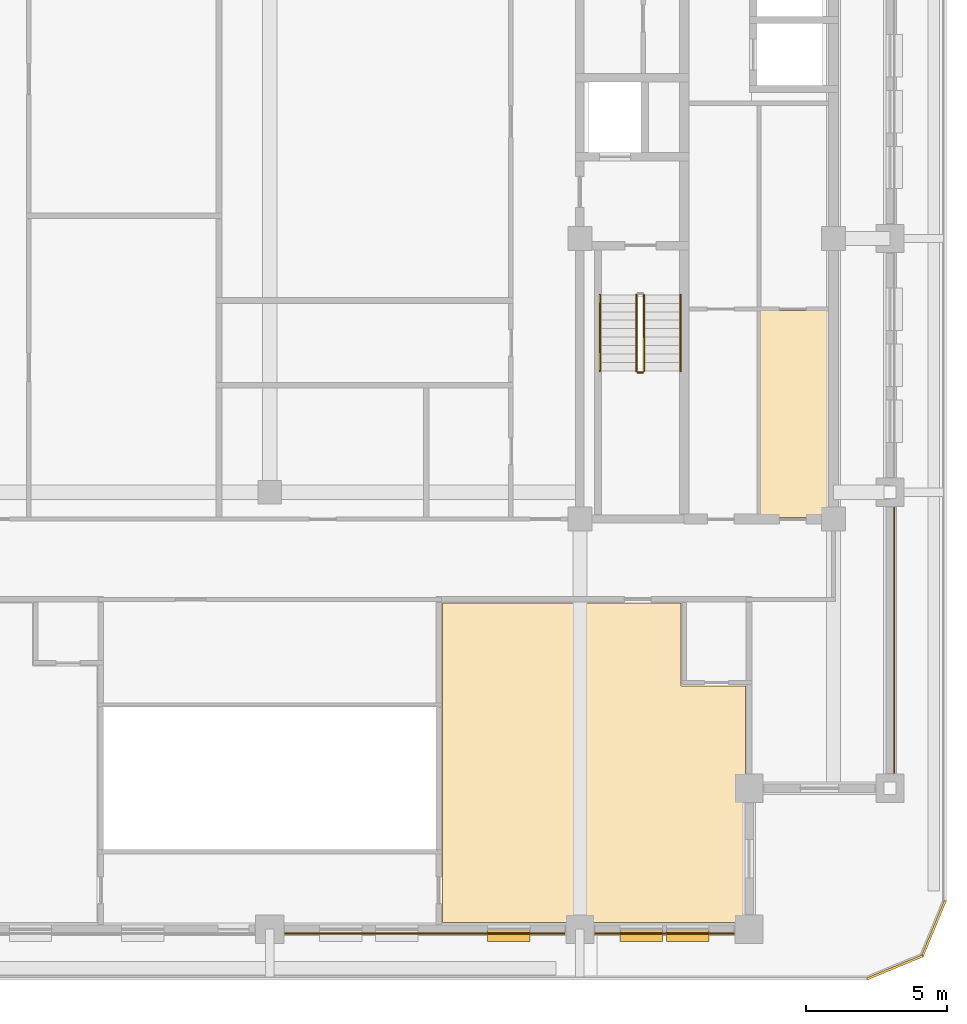
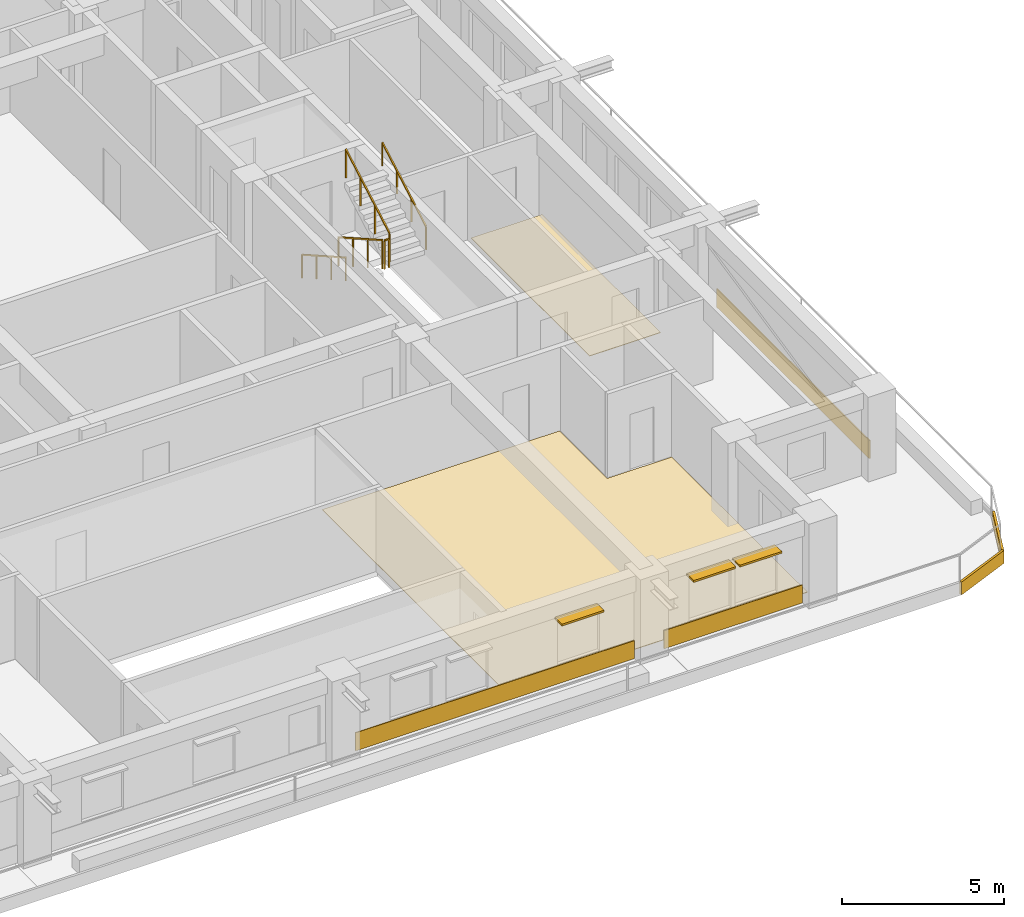
# One storey, part 12 of 14: 7 coverings, 5 railings, 3 shading devices.
"""IFC4 building model written with IfcOpenShell, lengths in metres."""

from ifc_helpers import new_model, si_unit, direction, frame, frame_2d, origin, origin_2d, place, context, subcontext, project, spatial, polyline, rectangle, outline, extrude, material, layer, layer_set, type_object, element, save


model = new_model("IFC4")

# Units and contexts
model_context = context("Model", 3, precision=1e-05, world=origin(), true_north=direction((0.0, 1.0)))
body_context = subcontext(model_context, "Body", "Model", "MODEL_VIEW")
ifc_project = project(units=[si_unit("LENGTHUNIT", "METRE"), si_unit("AREAUNIT", "SQUARE_METRE"), si_unit("VOLUMEUNIT", "CUBIC_METRE"), si_unit("PLANEANGLEUNIT", "RADIAN"), si_unit("MASSUNIT", "GRAM", prefix="KILO")], contexts=[model_context])

# Site, building, storey
site_placement = place(None, origin())
site = spatial("IfcSite", under=ifc_project, at=site_placement, CompositionType="ELEMENT")
building_placement = place(site_placement, origin())
building = spatial("IfcBuilding", under=site, at=building_placement, Name="Zulmaris Gate Convention Tower", CompositionType="ELEMENT")
storey_placement = place(building_placement, frame((0.0, 0.0, 215.260009765625)))
storey = spatial("IfcBuildingStorey", under=building, at=storey_placement, Name="L56", CompositionType="ELEMENT", Elevation=215.260009765625)

# Coverings
ifc_material_1 = material(Name="Precast concrete C40/50", Category="concrete")
ifc_layer_1 = layer(ifc_material_1, 0.0400390625, Name="Precast concrete C40/50")
ifc_layer_set_1 = layer_set([ifc_layer_1], Name="Precast concrete C40/50")
covering_type_1 = type_object("IfcCoveringType", Name="CLAD-SPANDREL-PRECAST", PredefinedType="CLADDING", material=ifc_layer_set_1)
covering_1_placement = place(storey_placement, frame((0.530029296875, -24.64990234375, 0.0), z_axis=(0.0, 0.0, 1.0), x_axis=(1.0, 0.0, 0.0)))
element("IfcCovering", 1, at=covering_1_placement, inside=storey, type_object=covering_type_1, Name="CLD-L56-S-2_0", PredefinedType="CLADDING", context=body_context, shape_type="SweptSolid", body=[
    extrude(rectangle(XDim=9.93994140625, YDim=0.0400390625, at=frame_2d((4.969970703125, 0.0))), origin(), (0.0, 0.0, 1.0), 0.679931640625),
])
covering_2_placement = place(storey_placement, frame((11.530029296875, -24.64990234375, 0.0), z_axis=(0.0, 0.0, 1.0), x_axis=(1.0, 0.0, 0.0)))
element("IfcCovering", 2, at=covering_2_placement, inside=storey, type_object=covering_type_1, Name="CLD-L56-S-3_0", PredefinedType="CLADDING", context=body_context, shape_type="SweptSolid", body=[
    extrude(rectangle(XDim=4.93994140625, YDim=0.0400390625, at=frame_2d((2.469970703125, 0.0))), origin(), (0.0, 0.0, 1.0), 0.679931640625),
])
covering_3_placement = place(storey_placement, frame((22.14990234375, -18.969970703125, 0.0), z_axis=(0.0, 0.0, 1.0), x_axis=(0.0, 1.0, 0.0)))
element("IfcCovering", 3, at=covering_3_placement, inside=storey, type_object=covering_type_1, Name="CLD-L56-E-0_0", PredefinedType="CLADDING", context=body_context, shape_type="SweptSolid", body=[
    extrude(rectangle(XDim=9.43994140625, YDim=0.0400390625, at=frame_2d((4.719970703125, 0.0))), origin(), (0.0, 0.0, 1.0), 0.679931640625),
])
ifc_material_2 = material(Name="White Glazed Architectural Precast Concrete C40/50", Category="concrete")
ifc_layer_2 = layer(ifc_material_2, 0.080078125, Name="White Glazed Architectural Precast Concrete C40/50")
ifc_layer_set_2 = layer_set([ifc_layer_2], Name="White Glazed Architectural Precast Concrete C40/50")
covering_type_2 = type_object("IfcCoveringType", Name="CLAD-TRAY-FASCIA", PredefinedType="CLADDING", material=ifc_layer_set_2)
covering_4_placement = place(storey_placement, frame((21.184814453125, -26.262939453125, -0.364990234375), z_axis=(0.0, 0.0, 1.0), x_axis=(0.923873803533, 0.382697263049, 0.0)))
element("IfcCovering", 4, at=covering_4_placement, inside=storey, type_object=covering_type_2, Name="FSC-L56-TR-03", PredefinedType="CLADDING", context=body_context, shape_type="SweptSolid", body=[
    extrude(rectangle(XDim=2.142822265625, YDim=0.080078125, at=frame_2d((1.0712890625, 0.0))), origin(), (0.0, 0.0, 1.0), 0.48486328125),
])
covering_5_placement = place(storey_placement, frame((23.142822265625, -25.464599609375, -0.364990234375), z_axis=(0.0, 0.0, 1.0), x_axis=(0.382656984709, 0.923890487046, 0.0)))
element("IfcCovering", 5, at=covering_5_placement, inside=storey, type_object=covering_type_2, Name="FSC-L56-TR-04", PredefinedType="CLADDING", context=body_context, shape_type="SweptSolid", body=[
    extrude(rectangle(XDim=2.14306640625, YDim=0.080078125, at=frame_2d((1.071533203125, 0.0))), origin(), (0.0, 0.0, 1.0), 0.48486328125),
])
ifc_material_3 = material(Name="Woven Acoustic Wool Carpet Tile")
ifc_layer_3 = layer(ifc_material_3, 0.02001953125, Name="Woven Acoustic Wool Carpet Tile")
ifc_layer_set_3 = layer_set([ifc_layer_3], Name="Woven Acoustic Wool Carpet Tile")
covering_type_3 = type_object("IfcCoveringType", Name="FLR-CARPET-12", PredefinedType="FLOORING", material=ifc_layer_set_3)
covering_6_placement = place(storey_placement, origin())
element("IfcCovering", 6, at=covering_6_placement, inside=storey, type_object=covering_type_3, Name="FLR-L56-R27", PredefinedType="FLOORING", context=body_context, shape_type="SweptSolid", body=[
    extrude(outline(polyline([(17.409912109375, -9.889892578125), (19.93994140625, -9.889892578125), (19.93994140625, -2.56005859375), (17.409912109375, -2.56005859375), (17.409912109375, -9.889892578125)])), origin(), (0.0, 0.0, 1.0), 0.02001953125),
])
ifc_material_4 = material(Name="Engineered Teak Parquet Flooring")
ifc_layer_4 = layer(ifc_material_4, 0.02001953125, Name="Engineered Teak Parquet Flooring")
ifc_layer_set_4 = layer_set([ifc_layer_4], Name="Engineered Teak Parquet Flooring")
covering_type_4 = type_object("IfcCoveringType", Name="FLR-TIMBER-18", PredefinedType="FLOORING", material=ifc_layer_set_4)
covering_7_placement = place(storey_placement, origin())
element("IfcCovering", 7, at=covering_7_placement, inside=storey, type_object=covering_type_4, Name="FLR-L56-R50", PredefinedType="FLOORING", context=body_context, shape_type="SweptSolid", body=[
    extrude(outline(polyline([(6.1201171875, -24.260009765625), (16.8798828125, -24.260009765625), (16.8798828125, -15.8701171875), (14.580078125, -15.8701171875), (14.580078125, -12.919921875), (6.1201171875, -12.919921875), (6.1201171875, -24.260009765625)])), origin(), (0.0, 0.0, 1.0), 0.02001953125),
])

# Railings
ifc_material_5 = material(Name="Painted Galvanised Steel", Category="steel")
railing_type_1 = type_object("IfcRailingType", Name="RL-STG-1150", PredefinedType="GUARDRAIL", material=ifc_material_5)
railing_1_placement = place(storey_placement, frame((13.010009765625, -2.0, 0.169921875)))
element("IfcRailing", 8, at=railing_1_placement, inside=storey, type_object=railing_type_1, Name="L56 ST-2 stair guard 1", PredefinedType="GUARDRAIL", context=body_context, shape_type="SweptSolid", body=[
    extrude(rectangle(XDim=0.048095703125, YDim=0.048095703125, at=origin_2d()), frame((0.0, 0.0, 1.076171875), z_axis=(0.0, -0.870014312096, 0.49302646658), x_axis=(1.0, 0.0, 0.0)), (0.0, 0.0, 1.0), 3.103271484375),
    extrude(rectangle(XDim=0.0419921875, YDim=0.0419921875, at=origin_2d()), origin(), (0.0, 0.0, 1.0), 1.052001953125),
    extrude(rectangle(XDim=0.0419921875, YDim=0.0419921875, at=origin_2d()), frame((0.0, -0.89990234375, 0.510009765625)), (0.0, 0.0, 1.0), 1.052001953125),
    extrude(rectangle(XDim=0.0419921875, YDim=0.0419921875, at=origin_2d()), frame((0.0, -1.800048828125, 1.02001953125)), (0.0, 0.0, 1.0), 1.052001953125),
    extrude(rectangle(XDim=0.0419921875, YDim=0.0419921875, at=origin_2d()), frame((0.0, -2.699951171875, 1.530029296875)), (0.0, 0.0, 1.0), 1.052001953125),
])
railing_2_placement = place(storey_placement, frame((13.06005859375, -4.75, 1.699951171875)))
element("IfcRailing", 9, at=railing_2_placement, inside=storey, type_object=railing_type_1, Name="L56 ST-2 stair guard 2", PredefinedType="GUARDRAIL", context=body_context, shape_type="SweptSolid", body=[
    extrude(rectangle(XDim=0.048095703125, YDim=0.048095703125, at=origin_2d()), frame((0.0, 0.0, 1.076171875), z_axis=(1.0, 0.0, 0.0), x_axis=(0.0, 1.0, 0.0)), (0.0, 0.0, 1.0), 0.159912109375),
    extrude(rectangle(XDim=0.0419921875, YDim=0.0419921875, at=origin_2d()), origin(), (0.0, 0.0, 1.0), 1.052001953125),
    extrude(rectangle(XDim=0.0419921875, YDim=0.0419921875, at=origin_2d()), frame((0.159912109375, 0.0, 0.0)), (0.0, 0.0, 1.0), 1.052001953125),
])
railing_3_placement = place(storey_placement, frame((13.27001953125, -4.699951171875, 1.869873046875)))
element("IfcRailing", 10, at=railing_3_placement, inside=storey, type_object=railing_type_1, Name="L56 ST-2 stair guard 3", PredefinedType="GUARDRAIL", context=body_context, shape_type="SweptSolid", body=[
    extrude(rectangle(XDim=0.048095703125, YDim=0.048095703125, at=origin_2d()), frame((0.0, 0.0, 1.076171875), z_axis=(0.0, 0.870014312096, 0.49302646658), x_axis=(-1.0, 0.0, 0.0)), (0.0, 0.0, 1.0), 3.103271484375),
    extrude(rectangle(XDim=0.0419921875, YDim=0.0419921875, at=origin_2d()), origin(), (0.0, 0.0, 1.0), 1.052001953125),
    extrude(rectangle(XDim=0.0419921875, YDim=0.0419921875, at=origin_2d()), frame((0.0, 0.89990234375, 0.510009765625)), (0.0, 0.0, 1.0), 1.052001953125),
    extrude(rectangle(XDim=0.0419921875, YDim=0.0419921875, at=origin_2d()), frame((0.0, 1.800048828125, 1.02001953125)), (0.0, 0.0, 1.0), 1.052001953125),
    extrude(rectangle(XDim=0.0419921875, YDim=0.0419921875, at=origin_2d()), frame((0.0, 2.699951171875, 1.530029296875)), (0.0, 0.0, 1.0), 1.052001953125),
])
ifc_material_6 = material(Name="Brushed Stainless Steel", Category="steel")
railing_type_2 = type_object("IfcRailingType", Name="RL-STH-900", PredefinedType="HANDRAIL", material=ifc_material_6)
railing_4_placement = place(storey_placement, frame((11.7099609375, -2.0, 0.169921875)))
element("IfcRailing", 11, at=railing_4_placement, inside=storey, type_object=railing_type_2, Name="L56 ST-2 stair handrail 1", PredefinedType="HANDRAIL", context=body_context, shape_type="SweptSolid", body=[
    extrude(rectangle(XDim=0.048095703125, YDim=0.048095703125, at=origin_2d()), frame((0.0, 0.0, 0.8759765625), z_axis=(0.0, -0.870014312096, 0.49302646658), x_axis=(1.0, 0.0, 0.0)), (0.0, 0.0, 1.0), 3.103271484375),
    extrude(rectangle(XDim=0.0419921875, YDim=0.0419921875, at=origin_2d()), origin(), (0.0, 0.0, 1.0), 0.851806640625),
    extrude(rectangle(XDim=0.0419921875, YDim=0.0419921875, at=origin_2d()), frame((0.0, -0.89990234375, 0.510009765625)), (0.0, 0.0, 1.0), 0.851806640625),
    extrude(rectangle(XDim=0.0419921875, YDim=0.0419921875, at=origin_2d()), frame((0.0, -1.800048828125, 1.02001953125)), (0.0, 0.0, 1.0), 0.851806640625),
    extrude(rectangle(XDim=0.0419921875, YDim=0.0419921875, at=origin_2d()), frame((0.0, -2.699951171875, 1.530029296875)), (0.0, 0.0, 1.0), 0.851806640625),
])
railing_5_placement = place(storey_placement, frame((14.570068359375, -4.699951171875, 1.869873046875)))
element("IfcRailing", 12, at=railing_5_placement, inside=storey, type_object=railing_type_2, Name="L56 ST-2 stair handrail 2", PredefinedType="HANDRAIL", context=body_context, shape_type="SweptSolid", body=[
    extrude(rectangle(XDim=0.048095703125, YDim=0.048095703125, at=origin_2d()), frame((0.0, 0.0, 0.8759765625), z_axis=(0.0, 0.870014312096, 0.49302646658), x_axis=(-1.0, 0.0, 0.0)), (0.0, 0.0, 1.0), 3.103271484375),
    extrude(rectangle(XDim=0.0419921875, YDim=0.0419921875, at=origin_2d()), origin(), (0.0, 0.0, 1.0), 0.851806640625),
    extrude(rectangle(XDim=0.0419921875, YDim=0.0419921875, at=origin_2d()), frame((0.0, 0.89990234375, 0.510009765625)), (0.0, 0.0, 1.0), 0.851806640625),
    extrude(rectangle(XDim=0.0419921875, YDim=0.0419921875, at=origin_2d()), frame((0.0, 1.800048828125, 1.02001953125)), (0.0, 0.0, 1.0), 0.851806640625),
    extrude(rectangle(XDim=0.0419921875, YDim=0.0419921875, at=origin_2d()), frame((0.0, 2.699951171875, 1.530029296875)), (0.0, 0.0, 1.0), 0.851806640625),
])

# Shading devices
ifc_material_7 = material(Name="Glazed Ceramic Terracotta", Category="masonry")
ifc_layer_5 = layer(ifc_material_7, 0.070068359375, Name="Glazed Ceramic Terracotta")
ifc_layer_set_5 = layer_set([ifc_layer_5], Name="Glazed Ceramic Terracotta")
shading_device_type = type_object("IfcShadingDeviceType", Name="SHD-SUNSHADE-TC", PredefinedType="AWNING", material=ifc_layer_set_5)
for number, where, z_axis, x_axis, name in (
    (13, (7.73193359375, -24.719970703125, 2.35009765625), (0.0, 0.0, 1.0), (1.0, 0.0, 0.0), "SHD-EW-L56-S-2_0-4"),
    (14, (12.427001953125, -24.719970703125, 2.35009765625), (0.0, 0.0, 1.0), (1.0, 0.0, 0.0), "SHD-EW-L56-S-3_0-1"),
    (15, (14.072998046875, -24.719970703125, 2.35009765625), (0.0, 0.0, 1.0), (1.0, 0.0, 0.0), "SHD-EW-L56-S-3_0-2"),
):
    element("IfcShadingDevice", number, at=place(storey_placement, frame(where, z_axis=z_axis, x_axis=x_axis)), inside=storey, type_object=shading_device_type, Name=name, PredefinedType="AWNING", context=body_context, shape_type="SweptSolid", body=[
        extrude(rectangle(XDim=1.5, YDim=0.43994140625, at=frame_2d((0.75, 0.0))), origin(), (0.0, 0.0, 1.0), 0.06982421875),
    ])

save(model, "model.ifc")
